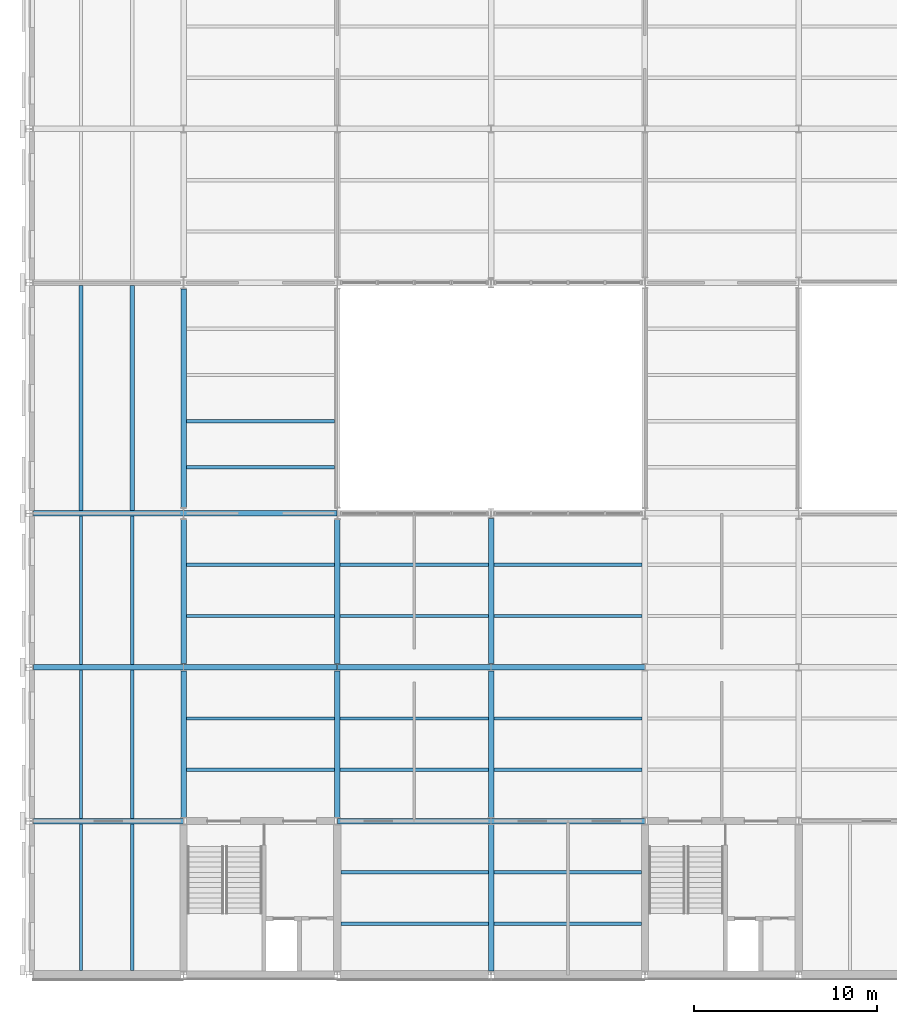
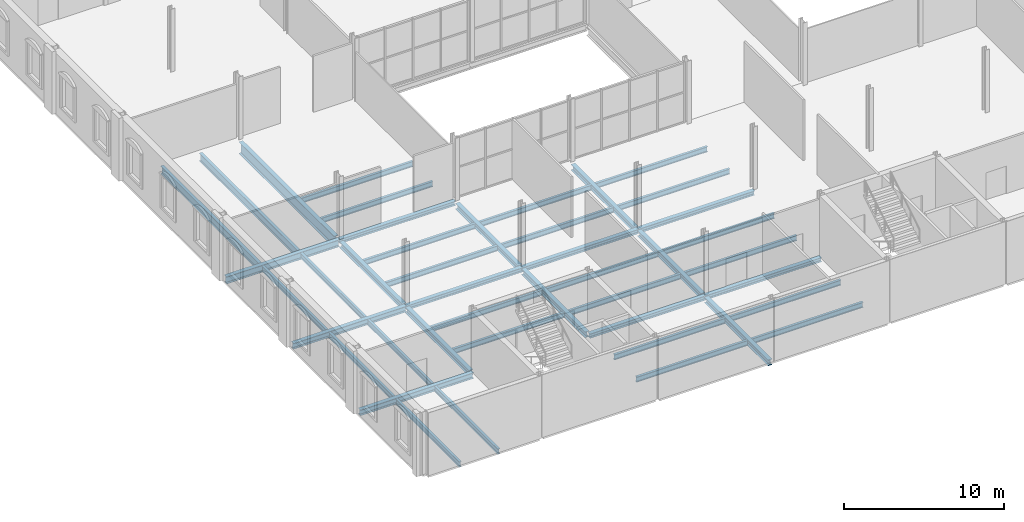
# One storey, part 9 of 57: 43 beams.
"""IFC4 building model written with IfcOpenShell, lengths in metres."""

from ifc_helpers import new_model, si_unit, direction, frame, origin, origin_2d, place, context, subcontext, project, spatial, i_section, extrude, material, material_profile, profile_set, type_object, element, save


model = new_model("IFC4")

# Units and contexts
model_context = context("Model", 3, precision=1e-05, world=origin(), true_north=direction((0.0, 1.0)))
body_context = subcontext(model_context, "Body", "Model", "MODEL_VIEW")
ifc_project = project(units=[si_unit("LENGTHUNIT", "METRE"), si_unit("AREAUNIT", "SQUARE_METRE"), si_unit("VOLUMEUNIT", "CUBIC_METRE"), si_unit("PLANEANGLEUNIT", "RADIAN"), si_unit("MASSUNIT", "GRAM", prefix="KILO")], contexts=[model_context])

# Site, building, storey
site_placement = place(None, origin())
site = spatial("IfcSite", under=ifc_project, at=site_placement, CompositionType="ELEMENT")
building_placement = place(site_placement, origin())
building = spatial("IfcBuilding", under=site, at=building_placement, Name="Galleria Vessillo Department Store", CompositionType="ELEMENT")
storey_placement = place(building_placement, frame((0.0, 0.0, 21.0)))
storey = spatial("IfcBuildingStorey", under=building, at=storey_placement, Name="L04", CompositionType="ELEMENT", Elevation=21.0)

# Beams
ifc_material_1 = material(Name="Steel S355 J2", Category="steel")
ifc_material_profile_1 = material_profile(ifc_material_1, i_section(OverallWidth=0.300048828125, OverallDepth=0.43994140625, WebThickness=0.011474609375, FlangeThickness=0.02099609375, FilletRadius=0.027099609375, at=origin_2d()), Name="HEA 450")
ifc_profile_set_1 = profile_set([ifc_material_profile_1], Name="Steel S355 J2")
beam_type_1 = type_object("IfcBeamType", Name="Floor girder HEA 450", PredefinedType="BEAM", material=ifc_profile_set_1)
for number, where, z_axis, x_axis, name in (
    (1, (0.2001953125, 8.39990234375, -0.369873046875), (1.0, 0.0, 0.0), (0.0, 1.0, 0.0), "S-BM-L04-GI-x8400-200"),
    (2, (0.2001953125, 16.800048828125, -0.369873046875), (1.0, 0.0, 0.0), (0.0, 1.0, 0.0), "S-BM-L04-GI-x16800-200"),
):
    element("IfcBeam", number, at=place(storey_placement, frame(where, z_axis=z_axis, x_axis=x_axis)), inside=storey, type_object=beam_type_1, Name=name, PredefinedType="BEAM", context=body_context, shape_type="SweptSolid", body=[
        extrude(i_section(OverallWidth=0.300048828125, OverallDepth=0.43994140625, WebThickness=0.011474609375, FlangeThickness=0.02099609375, FilletRadius=0.027099609375, at=origin_2d()), origin(), (0.0, 0.0, 1.0), 8.19287109375),
    ])
beam_1_placement = place(storey_placement, frame((8.39990234375, 8.60009765625, -0.369873046875), z_axis=(0.0, 1.0, 0.0), x_axis=(-1.0, 0.0, 0.0)))
element("IfcBeam", 3, at=beam_1_placement, inside=storey, type_object=beam_type_1, Name="S-BM-L04-GI-y8400-8600", PredefinedType="BEAM", context=body_context, shape_type="SweptSolid", body=[
    extrude(i_section(OverallWidth=0.300048828125, OverallDepth=0.43994140625, WebThickness=0.011474609375, FlangeThickness=0.02099609375, FilletRadius=0.027099609375, at=origin_2d()), origin(), (0.0, 0.0, 1.0), 7.999755859375),
])
beam_2_placement = place(storey_placement, frame((8.39990234375, 17.000244140625, -0.369873046875), z_axis=(0.0, 1.0, 0.0), x_axis=(-1.0, 0.0, 0.0)))
element("IfcBeam", 4, at=beam_2_placement, inside=storey, type_object=beam_type_1, Name="S-BM-L04-GI-y8400-17000", PredefinedType="BEAM", context=body_context, shape_type="SweptSolid", body=[
    extrude(i_section(OverallWidth=0.300048828125, OverallDepth=0.43994140625, WebThickness=0.011474609375, FlangeThickness=0.02099609375, FilletRadius=0.027099609375, at=origin_2d()), origin(), (0.0, 0.0, 1.0), 7.86572265625),
])
beam_3_placement = place(storey_placement, frame((16.800048828125, 8.60009765625, -0.369873046875), z_axis=(0.0, 1.0, 0.0), x_axis=(-1.0, 0.0, 0.0)))
element("IfcBeam", 5, at=beam_3_placement, inside=storey, type_object=beam_type_1, Name="S-BM-L04-GI-y16800-8600", PredefinedType="BEAM", context=body_context, shape_type="SweptSolid", body=[
    extrude(i_section(OverallWidth=0.300048828125, OverallDepth=0.43994140625, WebThickness=0.011474609375, FlangeThickness=0.02099609375, FilletRadius=0.027099609375, at=origin_2d()), origin(), (0.0, 0.0, 1.0), 7.999755859375),
])
beam_4_placement = place(storey_placement, frame((16.800048828125, 17.000244140625, -0.369873046875), z_axis=(0.0, 1.0, 0.0), x_axis=(-1.0, 0.0, 0.0)))
element("IfcBeam", 6, at=beam_4_placement, inside=storey, type_object=beam_type_1, Name="S-BM-L04-GI-y16800-17000", PredefinedType="BEAM", context=body_context, shape_type="SweptSolid", body=[
    extrude(i_section(OverallWidth=0.300048828125, OverallDepth=0.43994140625, WebThickness=0.011474609375, FlangeThickness=0.02099609375, FilletRadius=0.027099609375, at=origin_2d()), origin(), (0.0, 0.0, 1.0), 7.86572265625),
])
for number, where, z_axis, x_axis, name in (
    (7, (25.199951171875, 0.2001953125, -0.369873046875), (0.0, 1.0, 0.0), (-1.0, 0.0, 0.0), "S-BM-L04-GI-y25200-200"),
    (8, (25.199951171875, 8.60009765625, -0.369873046875), (0.0, 1.0, 0.0), (-1.0, 0.0, 0.0), "S-BM-L04-GI-y25200-8600"),
):
    element("IfcBeam", number, at=place(storey_placement, frame(where, z_axis=z_axis, x_axis=x_axis)), inside=storey, type_object=beam_type_1, Name=name, PredefinedType="BEAM", context=body_context, shape_type="SweptSolid", body=[
        extrude(i_section(OverallWidth=0.300048828125, OverallDepth=0.43994140625, WebThickness=0.011474609375, FlangeThickness=0.02099609375, FilletRadius=0.027099609375, at=origin_2d()), origin(), (0.0, 0.0, 1.0), 7.999755859375),
    ])
beam_5_placement = place(storey_placement, frame((25.199951171875, 17.000244140625, -0.369873046875), z_axis=(0.0, 1.0, 0.0), x_axis=(-1.0, 0.0, 0.0)))
element("IfcBeam", 9, at=beam_5_placement, inside=storey, type_object=beam_type_1, Name="S-BM-L04-GI-y25200-17000", PredefinedType="BEAM", context=body_context, shape_type="SweptSolid", body=[
    extrude(i_section(OverallWidth=0.300048828125, OverallDepth=0.43994140625, WebThickness=0.011474609375, FlangeThickness=0.02099609375, FilletRadius=0.027099609375, at=origin_2d()), origin(), (0.0, 0.0, 1.0), 7.937744140625),
])
ifc_material_2 = material(Name="Steel S355 J2", Category="steel")
ifc_material_profile_2 = material_profile(ifc_material_2, i_section(OverallWidth=0.300048828125, OverallDepth=0.5400390625, WebThickness=0.012451171875, FlangeThickness=0.02392578125, FilletRadius=0.027099609375, at=origin_2d()), Name="HEA 550")
ifc_profile_set_2 = profile_set([ifc_material_profile_2], Name="Steel S355 J2")
beam_type_2 = type_object("IfcBeamType", Name="Floor girder HEA 550", PredefinedType="BEAM", material=ifc_profile_set_2)
beam_6_placement = place(storey_placement, frame((0.2001953125, 25.199951171875, -0.419921875), z_axis=(1.0, 0.0, 0.0), x_axis=(0.0, 1.0, 0.0)))
element("IfcBeam", 10, at=beam_6_placement, inside=storey, type_object=beam_type_2, Name="S-BM-L04-GI-x25200-200", PredefinedType="BEAM", context=body_context, shape_type="SweptSolid", body=[
    extrude(i_section(OverallWidth=0.300048828125, OverallDepth=0.5400390625, WebThickness=0.012451171875, FlangeThickness=0.02392578125, FilletRadius=0.027099609375, at=origin_2d()), origin(), (0.0, 0.0, 1.0), 8.189208984375),
])
ifc_material_3 = material(Name="Steel S355 J2", Category="steel")
ifc_material_profile_3 = material_profile(ifc_material_3, i_section(OverallWidth=0.300048828125, OverallDepth=0.889892578125, WebThickness=0.01611328125, FlangeThickness=0.030029296875, FilletRadius=0.030029296875, at=origin_2d()), Name="HEA 900")
ifc_profile_set_3 = profile_set([ifc_material_profile_3], Name="Steel S355 J2")
beam_type_3 = type_object("IfcBeamType", Name="Floor girder HEA 900", PredefinedType="BEAM", material=ifc_profile_set_3)
beam_7_placement = place(storey_placement, frame((8.39990234375, 25.5341796875, -0.594970703125), z_axis=(0.0, 1.0, 0.0), x_axis=(-1.0, 0.0, 0.0)))
element("IfcBeam", 11, at=beam_7_placement, inside=storey, type_object=beam_type_3, Name="S-BM-L04-GI-y8400-25534", PredefinedType="BEAM", context=body_context, shape_type="SweptSolid", body=[
    extrude(i_section(OverallWidth=0.300048828125, OverallDepth=0.889892578125, WebThickness=0.01611328125, FlangeThickness=0.030029296875, FilletRadius=0.030029296875, at=origin_2d()), origin(), (0.0, 0.0, 1.0), 11.931640625),
])
ifc_material_4 = material(Name="Steel S355 J2", Category="steel")
ifc_material_profile_4 = material_profile(ifc_material_4, i_section(OverallWidth=0.179931640625, OverallDepth=0.39990234375, WebThickness=0.008544921875, FlangeThickness=0.013427734375, FilletRadius=0.02099609375, at=origin_2d()), Name="IPE 400")
ifc_profile_set_4 = profile_set([ifc_material_profile_4], Name="Steel S355 J2")
beam_type_4 = type_object("IfcBeamType", Name="Floor joist IPE 400", PredefinedType="JOIST", material=ifc_profile_set_4)
for number, where, z_axis, x_axis, name in (
    (12, (2.800048828125, 0.250244140625, -0.349853515625), (0.0, 1.0, 0.0), (-1.0, 0.0, 0.0), "S-BM-L04-JO-y2800-250"),
    (13, (5.60009765625, 0.250244140625, -0.349853515625), (0.0, 1.0, 0.0), (-1.0, 0.0, 0.0), "S-BM-L04-JO-y5600-250"),
):
    element("IfcBeam", number, at=place(storey_placement, frame(where, z_axis=z_axis, x_axis=x_axis)), inside=storey, type_object=beam_type_4, Name=name, PredefinedType="JOIST", context=body_context, shape_type="SweptSolid", body=[
        extrude(i_section(OverallWidth=0.179931640625, OverallDepth=0.39990234375, WebThickness=0.008544921875, FlangeThickness=0.013427734375, FilletRadius=0.02099609375, at=origin_2d()), origin(), (0.0, 0.0, 1.0), 7.99951171875),
    ])
for number, where, z_axis, x_axis, name in (
    (14, (2.800048828125, 8.550048828125, -0.349853515625), (0.0, 1.0, 0.0), (-1.0, 0.0, 0.0), "S-BM-L04-JO-y2800-8550"),
    (15, (5.60009765625, 8.550048828125, -0.349853515625), (0.0, 1.0, 0.0), (-1.0, 0.0, 0.0), "S-BM-L04-JO-y5600-8550"),
):
    element("IfcBeam", number, at=place(storey_placement, frame(where, z_axis=z_axis, x_axis=x_axis)), inside=storey, type_object=beam_type_4, Name=name, PredefinedType="JOIST", context=body_context, shape_type="SweptSolid", body=[
        extrude(i_section(OverallWidth=0.179931640625, OverallDepth=0.39990234375, WebThickness=0.008544921875, FlangeThickness=0.013427734375, FilletRadius=0.02099609375, at=origin_2d()), origin(), (0.0, 0.0, 1.0), 8.099853515625),
    ])
for number, where, z_axis, x_axis, name in (
    (16, (2.800048828125, 16.9501953125, -0.349853515625), (0.0, 1.0, 0.0), (-1.0, 0.0, 0.0), "S-BM-L04-JO-y2800-16950"),
    (17, (5.60009765625, 16.9501953125, -0.349853515625), (0.0, 1.0, 0.0), (-1.0, 0.0, 0.0), "S-BM-L04-JO-y5600-16950"),
):
    element("IfcBeam", number, at=place(storey_placement, frame(where, z_axis=z_axis, x_axis=x_axis)), inside=storey, type_object=beam_type_4, Name=name, PredefinedType="JOIST", context=body_context, shape_type="SweptSolid", body=[
        extrude(i_section(OverallWidth=0.179931640625, OverallDepth=0.39990234375, WebThickness=0.008544921875, FlangeThickness=0.013427734375, FilletRadius=0.02099609375, at=origin_2d()), origin(), (0.0, 0.0, 1.0), 8.099609375),
    ])
for number, where, z_axis, x_axis, name in (
    (18, (8.550048828125, 11.199951171875, -0.349853515625), (1.0, 0.0, 0.0), (0.0, 1.0, 0.0), "S-BM-L04-JO-x11200-8550"),
    (19, (8.550048828125, 14.0, -0.349853515625), (1.0, 0.0, 0.0), (0.0, 1.0, 0.0), "S-BM-L04-JO-x14000-8550"),
    (20, (8.550048828125, 19.60009765625, -0.349853515625), (1.0, 0.0, 0.0), (0.0, 1.0, 0.0), "S-BM-L04-JO-x19600-8550"),
    (21, (8.550048828125, 22.39990234375, -0.349853515625), (1.0, 0.0, 0.0), (0.0, 1.0, 0.0), "S-BM-L04-JO-x22400-8550"),
    (22, (8.550048828125, 27.719970703125, -0.349853515625), (1.0, 0.0, 0.0), (0.0, 1.0, 0.0), "S-BM-L04-JO-x27720-8550"),
    (23, (8.550048828125, 30.239990234375, -0.349853515625), (1.0, 0.0, 0.0), (0.0, 1.0, 0.0), "S-BM-L04-JO-x30240-8550"),
):
    element("IfcBeam", number, at=place(storey_placement, frame(where, z_axis=z_axis, x_axis=x_axis)), inside=storey, type_object=beam_type_4, Name=name, PredefinedType="JOIST", context=body_context, shape_type="SweptSolid", body=[
        extrude(i_section(OverallWidth=0.179931640625, OverallDepth=0.39990234375, WebThickness=0.008544921875, FlangeThickness=0.013427734375, FilletRadius=0.02099609375, at=origin_2d()), origin(), (0.0, 0.0, 1.0), 8.099853515625),
    ])
for number, where, z_axis, x_axis, name in (
    (24, (17.000244140625, 2.800048828125, -0.349853515625), (1.0, 0.0, 0.0), (0.0, 1.0, 0.0), "S-BM-L04-JO-x2800-17000"),
    (25, (17.000244140625, 5.60009765625, -0.349853515625), (1.0, 0.0, 0.0), (0.0, 1.0, 0.0), "S-BM-L04-JO-x5600-17000"),
):
    element("IfcBeam", number, at=place(storey_placement, frame(where, z_axis=z_axis, x_axis=x_axis)), inside=storey, type_object=beam_type_4, Name=name, PredefinedType="JOIST", context=body_context, shape_type="SweptSolid", body=[
        extrude(i_section(OverallWidth=0.179931640625, OverallDepth=0.39990234375, WebThickness=0.008544921875, FlangeThickness=0.013427734375, FilletRadius=0.02099609375, at=origin_2d()), origin(), (0.0, 0.0, 1.0), 8.049560546875),
    ])
for number, where, z_axis, x_axis, name in (
    (26, (16.9501953125, 11.199951171875, -0.349853515625), (1.0, 0.0, 0.0), (0.0, 1.0, 0.0), "S-BM-L04-JO-x11200-16950"),
    (27, (16.9501953125, 14.0, -0.349853515625), (1.0, 0.0, 0.0), (0.0, 1.0, 0.0), "S-BM-L04-JO-x14000-16950"),
    (28, (16.9501953125, 19.60009765625, -0.349853515625), (1.0, 0.0, 0.0), (0.0, 1.0, 0.0), "S-BM-L04-JO-x19600-16950"),
    (29, (16.9501953125, 22.39990234375, -0.349853515625), (1.0, 0.0, 0.0), (0.0, 1.0, 0.0), "S-BM-L04-JO-x22400-16950"),
):
    element("IfcBeam", number, at=place(storey_placement, frame(where, z_axis=z_axis, x_axis=x_axis)), inside=storey, type_object=beam_type_4, Name=name, PredefinedType="JOIST", context=body_context, shape_type="SweptSolid", body=[
        extrude(i_section(OverallWidth=0.179931640625, OverallDepth=0.39990234375, WebThickness=0.008544921875, FlangeThickness=0.013427734375, FilletRadius=0.02099609375, at=origin_2d()), origin(), (0.0, 0.0, 1.0), 8.099609375),
    ])
for number, where, z_axis, x_axis, name in (
    (30, (25.35009765625, 2.800048828125, -0.349853515625), (1.0, 0.0, 0.0), (0.0, 1.0, 0.0), "S-BM-L04-JO-x2800-25350"),
    (31, (25.35009765625, 5.60009765625, -0.349853515625), (1.0, 0.0, 0.0), (0.0, 1.0, 0.0), "S-BM-L04-JO-x5600-25350"),
):
    element("IfcBeam", number, at=place(storey_placement, frame(where, z_axis=z_axis, x_axis=x_axis)), inside=storey, type_object=beam_type_4, Name=name, PredefinedType="JOIST", context=body_context, shape_type="SweptSolid", body=[
        extrude(i_section(OverallWidth=0.179931640625, OverallDepth=0.39990234375, WebThickness=0.008544921875, FlangeThickness=0.013427734375, FilletRadius=0.02099609375, at=origin_2d()), origin(), (0.0, 0.0, 1.0), 8.0498046875),
    ])
for number, where, z_axis, x_axis, name in (
    (32, (25.35009765625, 11.199951171875, -0.349853515625), (1.0, 0.0, 0.0), (0.0, 1.0, 0.0), "S-BM-L04-JO-x11200-25350"),
    (33, (25.35009765625, 14.0, -0.349853515625), (1.0, 0.0, 0.0), (0.0, 1.0, 0.0), "S-BM-L04-JO-x14000-25350"),
    (34, (25.35009765625, 19.60009765625, -0.349853515625), (1.0, 0.0, 0.0), (0.0, 1.0, 0.0), "S-BM-L04-JO-x19600-25350"),
    (35, (25.35009765625, 22.39990234375, -0.349853515625), (1.0, 0.0, 0.0), (0.0, 1.0, 0.0), "S-BM-L04-JO-x22400-25350"),
):
    element("IfcBeam", number, at=place(storey_placement, frame(where, z_axis=z_axis, x_axis=x_axis)), inside=storey, type_object=beam_type_4, Name=name, PredefinedType="JOIST", context=body_context, shape_type="SweptSolid", body=[
        extrude(i_section(OverallWidth=0.179931640625, OverallDepth=0.39990234375, WebThickness=0.008544921875, FlangeThickness=0.013427734375, FilletRadius=0.02099609375, at=origin_2d()), origin(), (0.0, 0.0, 1.0), 8.099853515625),
    ])
ifc_material_5 = material(Name="Steel S355 J2", Category="steel")
ifc_material_profile_5 = material_profile(ifc_material_5, i_section(OverallWidth=0.219970703125, OverallDepth=0.60009765625, WebThickness=0.011962890625, FlangeThickness=0.01904296875, FilletRadius=0.02392578125, at=origin_2d()), Name="IPE 600")
ifc_profile_set_5 = profile_set([ifc_material_profile_5], Name="Steel S355 J2")
beam_type_5 = type_object("IfcBeamType", Name="Floor joist IPE 600", PredefinedType="JOIST", material=ifc_profile_set_5)
for number, where, z_axis, x_axis, name in (
    (36, (2.800048828125, 25.35009765625, -0.449951171875), (0.0, 1.0, 0.0), (-1.0, 0.0, 0.0), "S-BM-L04-JO-y2800-25350"),
    (37, (5.60009765625, 25.35009765625, -0.449951171875), (0.0, 1.0, 0.0), (-1.0, 0.0, 0.0), "S-BM-L04-JO-y5600-25350"),
):
    element("IfcBeam", number, at=place(storey_placement, frame(where, z_axis=z_axis, x_axis=x_axis)), inside=storey, type_object=beam_type_5, Name=name, PredefinedType="JOIST", context=body_context, shape_type="SweptSolid", body=[
        extrude(i_section(OverallWidth=0.219970703125, OverallDepth=0.60009765625, WebThickness=0.011962890625, FlangeThickness=0.01904296875, FilletRadius=0.02392578125, at=origin_2d()), origin(), (0.0, 0.0, 1.0), 12.2998046875),
    ])
ifc_material_6 = material(Name="Steel S355 J2", Category="steel")
ifc_material_profile_6 = material_profile(ifc_material_6, i_section(OverallWidth=0.300048828125, OverallDepth=0.330078125, WebThickness=0.009521484375, FlangeThickness=0.0166015625, FilletRadius=0.027099609375, at=origin_2d()), Name="HEA 340")
ifc_profile_set_6 = profile_set([ifc_material_profile_6], Name="Steel S355 J2")
beam_type_6 = type_object("IfcBeamType", Name="Floor tie girder HEA 340", PredefinedType="BEAM", material=ifc_profile_set_6)
for number, where, z_axis, x_axis, name in (
    (38, (16.806884765625, 8.39990234375, -0.31494140625), (1.0, 0.0, 0.0), (0.0, 1.0, 0.0), "S-BM-L04-TI-x8400-16807"),
    (39, (25.206787109375, 8.39990234375, -0.31494140625), (1.0, 0.0, 0.0), (0.0, 1.0, 0.0), "S-BM-L04-TI-x8400-25207"),
    (40, (8.406982421875, 16.800048828125, -0.31494140625), (1.0, 0.0, 0.0), (0.0, 1.0, 0.0), "S-BM-L04-TI-x16800-8407"),
    (41, (16.806884765625, 16.800048828125, -0.31494140625), (1.0, 0.0, 0.0), (0.0, 1.0, 0.0), "S-BM-L04-TI-x16800-16807"),
    (42, (25.206787109375, 16.800048828125, -0.31494140625), (1.0, 0.0, 0.0), (0.0, 1.0, 0.0), "S-BM-L04-TI-x16800-25207"),
):
    element("IfcBeam", number, at=place(storey_placement, frame(where, z_axis=z_axis, x_axis=x_axis)), inside=storey, type_object=beam_type_6, Name=name, PredefinedType="BEAM", context=body_context, shape_type="SweptSolid", body=[
        extrude(i_section(OverallWidth=0.300048828125, OverallDepth=0.330078125, WebThickness=0.009521484375, FlangeThickness=0.0166015625, FilletRadius=0.027099609375, at=origin_2d()), origin(), (0.0, 0.0, 1.0), 8.38623046875),
    ])
beam_8_placement = place(storey_placement, frame((8.41064453125, 25.199951171875, -0.31494140625), z_axis=(1.0, 0.0, 0.0), x_axis=(0.0, 1.0, 0.0)))
element("IfcBeam", 43, at=beam_8_placement, inside=storey, type_object=beam_type_6, Name="S-BM-L04-TI-x25200-8411", PredefinedType="BEAM", context=body_context, shape_type="SweptSolid", body=[
    extrude(i_section(OverallWidth=0.300048828125, OverallDepth=0.330078125, WebThickness=0.009521484375, FlangeThickness=0.0166015625, FilletRadius=0.027099609375, at=origin_2d()), origin(), (0.0, 0.0, 1.0), 8.378662109375),
])

save(model, "model.ifc")
